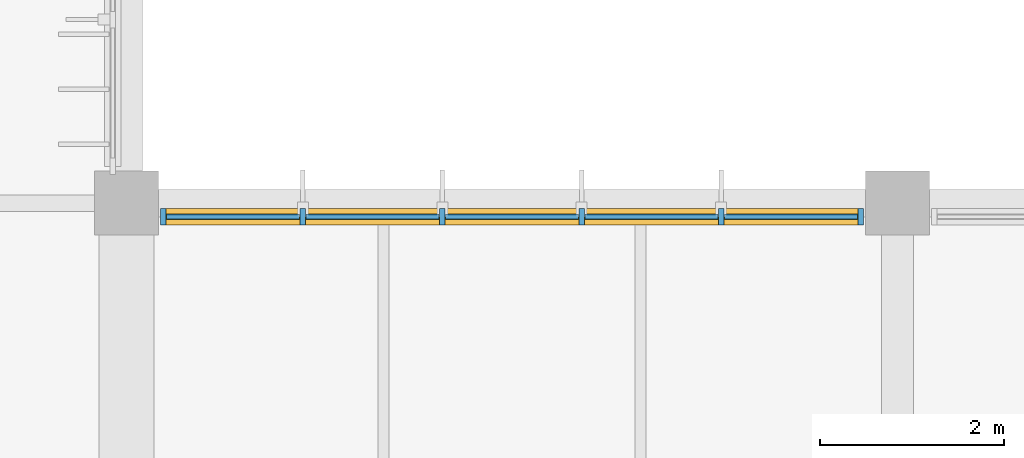
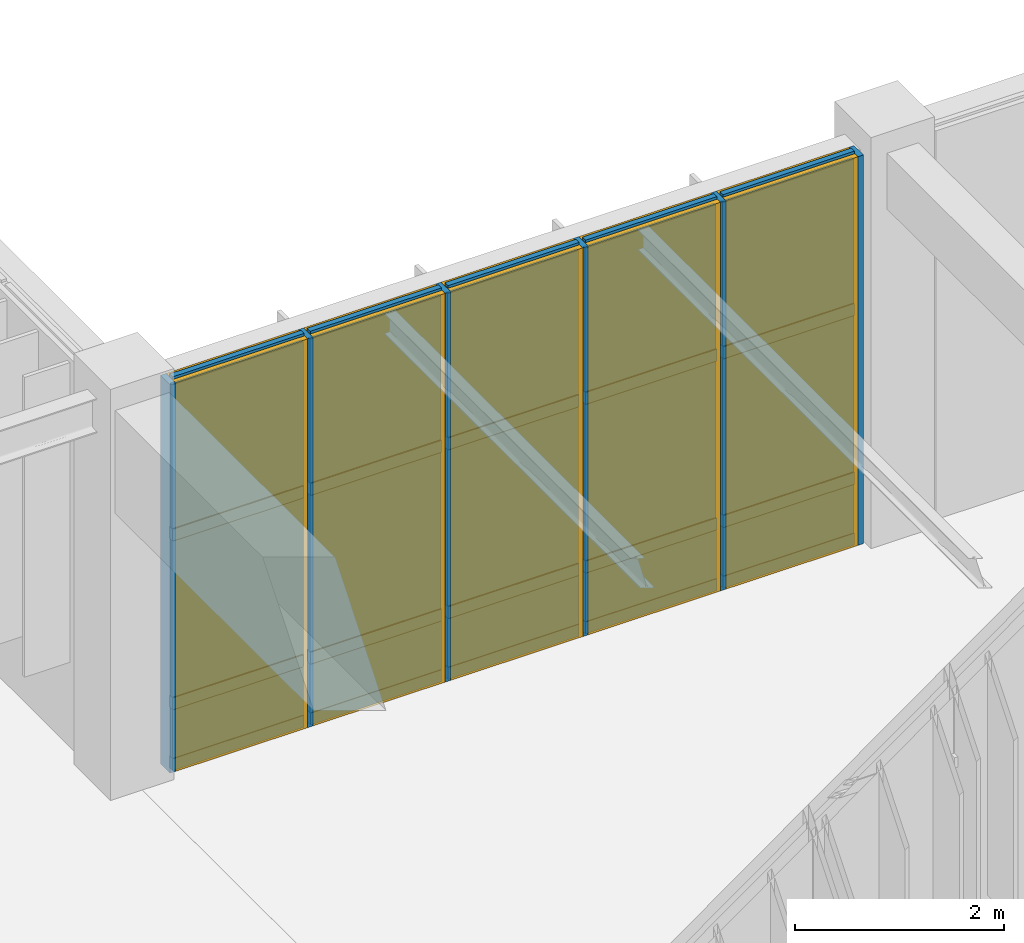
# One storey, part 68 of 122: 26 members, 15 plates, 1 curtain wall.
"""IFC4 building model written with IfcOpenShell, lengths in metres."""

from ifc_helpers import new_model, si_unit, direction, frame, frame_2d, origin, origin_2d, place, context, subcontext, project, spatial, rectangle, extrude, material, layer, layer_set, material_profile, profile_set, type_object, element, aggregate, save


model = new_model("IFC4")

# Units and contexts
model_context = context("Model", 3, precision=1e-05, world=origin(), true_north=direction((0.0, 1.0)))
body_context = subcontext(model_context, "Body", "Model", "MODEL_VIEW")
ifc_project = project(units=[si_unit("LENGTHUNIT", "METRE"), si_unit("AREAUNIT", "SQUARE_METRE"), si_unit("VOLUMEUNIT", "CUBIC_METRE"), si_unit("PLANEANGLEUNIT", "RADIAN"), si_unit("MASSUNIT", "GRAM", prefix="KILO")], contexts=[model_context])

# Member
ifc_material_1 = material(Name="Anodised Bronze Aluminium 6063-T6", Category="aluminium")
ifc_material_profile_1 = material_profile(ifc_material_1, rectangle(XDim=0.06005859375, YDim=0.179931640625, at=origin_2d()), Name="ALU MULLION 60x180")
ifc_profile_set_1 = profile_set([ifc_material_profile_1], Name="Anodised Bronze Aluminium 6063-T6")
member_type_1 = type_object("IfcMemberType", Name="Curtain-Wall Primary Mullion 60x180", PredefinedType="MULLION", material=ifc_profile_set_1)
site_placement = place(None, origin())
building_placement = place(site_placement, origin())
storey_placement = place(building_placement, origin())
member_1_placement = place(storey_placement, frame((28.0, 51.64990234375, 0.0), z_axis=(0.0, 0.0, 1.0), x_axis=(1.0, 0.0, 0.0)))
member_1 = element("IfcMember", 1, at=member_1_placement, type_object=member_type_1, Name="Mullion CWM-01 CW-WLNK-N-L00-B1-M01", PredefinedType="MULLION", context=body_context, shape_type="SweptSolid", body=[
    extrude(rectangle(XDim=0.06005859375, YDim=0.179931640625, at=origin_2d()), origin(), (0.0, 0.0, 1.0), 4.5400390625),
])

member_2_placement = place(storey_placement, frame((29.52001953125, 51.64990234375, 0.0), z_axis=(0.0, 0.0, 1.0), x_axis=(1.0, 0.0, 0.0)))
member_2 = element("IfcMember", 2, at=member_2_placement, type_object=member_type_1, Name="Mullion CWM-01 CW-WLNK-N-L00-B1-M02", PredefinedType="MULLION", context=body_context, shape_type="SweptSolid", body=[
    extrude(rectangle(XDim=0.06005859375, YDim=0.179931640625, at=origin_2d()), origin(), (0.0, 0.0, 1.0), 4.5400390625),
])

member_3_placement = place(storey_placement, frame((31.0400390625, 51.64990234375, 0.0), z_axis=(0.0, 0.0, 1.0), x_axis=(1.0, 0.0, 0.0)))
member_3 = element("IfcMember", 3, at=member_3_placement, type_object=member_type_1, Name="Mullion CWM-01 CW-WLNK-N-L00-B1-M03", PredefinedType="MULLION", context=body_context, shape_type="SweptSolid", body=[
    extrude(rectangle(XDim=0.06005859375, YDim=0.179931640625, at=origin_2d()), origin(), (0.0, 0.0, 1.0), 4.5400390625),
])

member_4_placement = place(storey_placement, frame((32.56005859375, 51.64990234375, 0.0), z_axis=(0.0, 0.0, 1.0), x_axis=(1.0, 0.0, 0.0)))
member_4 = element("IfcMember", 4, at=member_4_placement, type_object=member_type_1, Name="Mullion CWM-01 CW-WLNK-N-L00-B1-M04", PredefinedType="MULLION", context=body_context, shape_type="SweptSolid", body=[
    extrude(rectangle(XDim=0.06005859375, YDim=0.179931640625, at=origin_2d()), origin(), (0.0, 0.0, 1.0), 4.5400390625),
])

member_5_placement = place(storey_placement, frame((34.080078125, 51.64990234375, 0.0), z_axis=(0.0, 0.0, 1.0), x_axis=(1.0, 0.0, 0.0)))
member_5 = element("IfcMember", 5, at=member_5_placement, type_object=member_type_1, Name="Mullion CWM-01 CW-WLNK-N-L00-B1-M05", PredefinedType="MULLION", context=body_context, shape_type="SweptSolid", body=[
    extrude(rectangle(XDim=0.06005859375, YDim=0.179931640625, at=origin_2d()), origin(), (0.0, 0.0, 1.0), 4.5400390625),
])

member_6_placement = place(storey_placement, frame((35.60009765625, 51.64990234375, 0.0), z_axis=(0.0, 0.0, 1.0), x_axis=(1.0, 0.0, 0.0)))
member_6 = element("IfcMember", 6, at=member_6_placement, type_object=member_type_1, Name="Mullion CWM-01 CW-WLNK-N-L00-B1-M06", PredefinedType="MULLION", context=body_context, shape_type="SweptSolid", body=[
    extrude(rectangle(XDim=0.06005859375, YDim=0.179931640625, at=origin_2d()), origin(), (0.0, 0.0, 1.0), 4.5400390625),
])

ifc_material_profile_2 = material_profile(ifc_material_1, rectangle(XDim=0.06005859375, YDim=0.139892578125, at=origin_2d()), Name="ALU TRANSOM 60x140")
ifc_profile_set_2 = profile_set([ifc_material_profile_2], Name="Anodised Bronze Aluminium 6063-T6")
member_type_2 = type_object("IfcMemberType", Name="Curtain-Wall Transom 60x140", PredefinedType="USERDEFINED", material=ifc_profile_set_2)
member_7_placement = place(storey_placement, frame((28.034912109375, 51.64990234375, 0.0400390625), z_axis=(1.0, 0.0, 0.0), x_axis=(0.0, 1.0, 0.0)))
member_7 = element("IfcMember", 7, at=member_7_placement, type_object=member_type_2, Name="Transom CWT-01 CW-WLNK-N-L00-B1-T01.1", ObjectType="TRANSOM", PredefinedType="USERDEFINED", context=body_context, shape_type="SweptSolid", body=[
    extrude(rectangle(XDim=0.06005859375, YDim=0.139892578125, at=origin_2d()), origin(), (0.0, 0.0, 1.0), 1.4501953125),
])

member_8_placement = place(storey_placement, frame((28.034912109375, 51.64990234375, 0.75), z_axis=(1.0, 0.0, 0.0), x_axis=(0.0, 1.0, 0.0)))
member_8 = element("IfcMember", 8, at=member_8_placement, type_object=member_type_2, Name="Transom CWT-01 CW-WLNK-N-L00-B1-T01.2", ObjectType="TRANSOM", PredefinedType="USERDEFINED", context=body_context, shape_type="SweptSolid", body=[
    extrude(rectangle(XDim=0.06005859375, YDim=0.139892578125, at=origin_2d()), origin(), (0.0, 0.0, 1.0), 1.4501953125),
])

member_9_placement = place(storey_placement, frame((28.034912109375, 51.64990234375, 2.720703125), z_axis=(1.0, 0.0, 0.0), x_axis=(0.0, 1.0, 0.0)))
member_9 = element("IfcMember", 9, at=member_9_placement, type_object=member_type_2, Name="Transom CWT-01 CW-WLNK-N-L00-B1-T01.3", ObjectType="TRANSOM", PredefinedType="USERDEFINED", context=body_context, shape_type="SweptSolid", body=[
    extrude(rectangle(XDim=0.06005859375, YDim=0.139892578125, at=origin_2d()), origin(), (0.0, 0.0, 1.0), 1.4501953125),
])

member_10_placement = place(storey_placement, frame((28.034912109375, 51.64990234375, 4.5), z_axis=(1.0, 0.0, 0.0), x_axis=(0.0, 1.0, 0.0)))
member_10 = element("IfcMember", 10, at=member_10_placement, type_object=member_type_2, Name="Transom CWT-01 CW-WLNK-N-L00-B1-T01.4", ObjectType="TRANSOM", PredefinedType="USERDEFINED", context=body_context, shape_type="SweptSolid", body=[
    extrude(rectangle(XDim=0.06005859375, YDim=0.139892578125, at=origin_2d()), origin(), (0.0, 0.0, 1.0), 1.4501953125),
])

member_11_placement = place(storey_placement, frame((29.554931640625, 51.64990234375, 0.0400390625), z_axis=(1.0, 0.0, 0.0), x_axis=(0.0, 1.0, 0.0)))
member_11 = element("IfcMember", 11, at=member_11_placement, type_object=member_type_2, Name="Transom CWT-01 CW-WLNK-N-L00-B1-T02.1", ObjectType="TRANSOM", PredefinedType="USERDEFINED", context=body_context, shape_type="SweptSolid", body=[
    extrude(rectangle(XDim=0.06005859375, YDim=0.139892578125, at=origin_2d()), origin(), (0.0, 0.0, 1.0), 1.449951171875),
])

member_12_placement = place(storey_placement, frame((29.554931640625, 51.64990234375, 0.75), z_axis=(1.0, 0.0, 0.0), x_axis=(0.0, 1.0, 0.0)))
member_12 = element("IfcMember", 12, at=member_12_placement, type_object=member_type_2, Name="Transom CWT-01 CW-WLNK-N-L00-B1-T02.2", ObjectType="TRANSOM", PredefinedType="USERDEFINED", context=body_context, shape_type="SweptSolid", body=[
    extrude(rectangle(XDim=0.06005859375, YDim=0.139892578125, at=origin_2d()), origin(), (0.0, 0.0, 1.0), 1.449951171875),
])

member_13_placement = place(storey_placement, frame((29.554931640625, 51.64990234375, 2.720703125), z_axis=(1.0, 0.0, 0.0), x_axis=(0.0, 1.0, 0.0)))
member_13 = element("IfcMember", 13, at=member_13_placement, type_object=member_type_2, Name="Transom CWT-01 CW-WLNK-N-L00-B1-T02.3", ObjectType="TRANSOM", PredefinedType="USERDEFINED", context=body_context, shape_type="SweptSolid", body=[
    extrude(rectangle(XDim=0.06005859375, YDim=0.139892578125, at=origin_2d()), origin(), (0.0, 0.0, 1.0), 1.449951171875),
])

member_14_placement = place(storey_placement, frame((29.554931640625, 51.64990234375, 4.5), z_axis=(1.0, 0.0, 0.0), x_axis=(0.0, 1.0, 0.0)))
member_14 = element("IfcMember", 14, at=member_14_placement, type_object=member_type_2, Name="Transom CWT-01 CW-WLNK-N-L00-B1-T02.4", ObjectType="TRANSOM", PredefinedType="USERDEFINED", context=body_context, shape_type="SweptSolid", body=[
    extrude(rectangle(XDim=0.06005859375, YDim=0.139892578125, at=origin_2d()), origin(), (0.0, 0.0, 1.0), 1.449951171875),
])

member_15_placement = place(storey_placement, frame((31.074951171875, 51.64990234375, 0.0400390625), z_axis=(1.0, 0.0, 0.0), x_axis=(0.0, 1.0, 0.0)))
member_15 = element("IfcMember", 15, at=member_15_placement, type_object=member_type_2, Name="Transom CWT-01 CW-WLNK-N-L00-B1-T03.1", ObjectType="TRANSOM", PredefinedType="USERDEFINED", context=body_context, shape_type="SweptSolid", body=[
    extrude(rectangle(XDim=0.06005859375, YDim=0.139892578125, at=origin_2d()), origin(), (0.0, 0.0, 1.0), 1.449951171875),
])

member_16_placement = place(storey_placement, frame((31.074951171875, 51.64990234375, 0.75), z_axis=(1.0, 0.0, 0.0), x_axis=(0.0, 1.0, 0.0)))
member_16 = element("IfcMember", 16, at=member_16_placement, type_object=member_type_2, Name="Transom CWT-01 CW-WLNK-N-L00-B1-T03.2", ObjectType="TRANSOM", PredefinedType="USERDEFINED", context=body_context, shape_type="SweptSolid", body=[
    extrude(rectangle(XDim=0.06005859375, YDim=0.139892578125, at=origin_2d()), origin(), (0.0, 0.0, 1.0), 1.449951171875),
])

member_17_placement = place(storey_placement, frame((31.074951171875, 51.64990234375, 2.720703125), z_axis=(1.0, 0.0, 0.0), x_axis=(0.0, 1.0, 0.0)))
member_17 = element("IfcMember", 17, at=member_17_placement, type_object=member_type_2, Name="Transom CWT-01 CW-WLNK-N-L00-B1-T03.3", ObjectType="TRANSOM", PredefinedType="USERDEFINED", context=body_context, shape_type="SweptSolid", body=[
    extrude(rectangle(XDim=0.06005859375, YDim=0.139892578125, at=origin_2d()), origin(), (0.0, 0.0, 1.0), 1.449951171875),
])

member_18_placement = place(storey_placement, frame((31.074951171875, 51.64990234375, 4.5), z_axis=(1.0, 0.0, 0.0), x_axis=(0.0, 1.0, 0.0)))
member_18 = element("IfcMember", 18, at=member_18_placement, type_object=member_type_2, Name="Transom CWT-01 CW-WLNK-N-L00-B1-T03.4", ObjectType="TRANSOM", PredefinedType="USERDEFINED", context=body_context, shape_type="SweptSolid", body=[
    extrude(rectangle(XDim=0.06005859375, YDim=0.139892578125, at=origin_2d()), origin(), (0.0, 0.0, 1.0), 1.449951171875),
])

member_19_placement = place(storey_placement, frame((32.594970703125, 51.64990234375, 0.0400390625), z_axis=(1.0, 0.0, 0.0), x_axis=(0.0, 1.0, 0.0)))
member_19 = element("IfcMember", 19, at=member_19_placement, type_object=member_type_2, Name="Transom CWT-01 CW-WLNK-N-L00-B1-T04.1", ObjectType="TRANSOM", PredefinedType="USERDEFINED", context=body_context, shape_type="SweptSolid", body=[
    extrude(rectangle(XDim=0.06005859375, YDim=0.139892578125, at=origin_2d()), origin(), (0.0, 0.0, 1.0), 1.449951171875),
])

member_20_placement = place(storey_placement, frame((32.594970703125, 51.64990234375, 0.75), z_axis=(1.0, 0.0, 0.0), x_axis=(0.0, 1.0, 0.0)))
member_20 = element("IfcMember", 20, at=member_20_placement, type_object=member_type_2, Name="Transom CWT-01 CW-WLNK-N-L00-B1-T04.2", ObjectType="TRANSOM", PredefinedType="USERDEFINED", context=body_context, shape_type="SweptSolid", body=[
    extrude(rectangle(XDim=0.06005859375, YDim=0.139892578125, at=origin_2d()), origin(), (0.0, 0.0, 1.0), 1.449951171875),
])

member_21_placement = place(storey_placement, frame((32.594970703125, 51.64990234375, 2.720703125), z_axis=(1.0, 0.0, 0.0), x_axis=(0.0, 1.0, 0.0)))
member_21 = element("IfcMember", 21, at=member_21_placement, type_object=member_type_2, Name="Transom CWT-01 CW-WLNK-N-L00-B1-T04.3", ObjectType="TRANSOM", PredefinedType="USERDEFINED", context=body_context, shape_type="SweptSolid", body=[
    extrude(rectangle(XDim=0.06005859375, YDim=0.139892578125, at=origin_2d()), origin(), (0.0, 0.0, 1.0), 1.449951171875),
])

member_22_placement = place(storey_placement, frame((32.594970703125, 51.64990234375, 4.5), z_axis=(1.0, 0.0, 0.0), x_axis=(0.0, 1.0, 0.0)))
member_22 = element("IfcMember", 22, at=member_22_placement, type_object=member_type_2, Name="Transom CWT-01 CW-WLNK-N-L00-B1-T04.4", ObjectType="TRANSOM", PredefinedType="USERDEFINED", context=body_context, shape_type="SweptSolid", body=[
    extrude(rectangle(XDim=0.06005859375, YDim=0.139892578125, at=origin_2d()), origin(), (0.0, 0.0, 1.0), 1.449951171875),
])

member_23_placement = place(storey_placement, frame((34.114990234375, 51.64990234375, 0.0400390625), z_axis=(1.0, 0.0, 0.0), x_axis=(0.0, 1.0, 0.0)))
member_23 = element("IfcMember", 23, at=member_23_placement, type_object=member_type_2, Name="Transom CWT-01 CW-WLNK-N-L00-B1-T05.1", ObjectType="TRANSOM", PredefinedType="USERDEFINED", context=body_context, shape_type="SweptSolid", body=[
    extrude(rectangle(XDim=0.06005859375, YDim=0.139892578125, at=origin_2d()), origin(), (0.0, 0.0, 1.0), 1.449951171875),
])

member_24_placement = place(storey_placement, frame((34.114990234375, 51.64990234375, 0.75), z_axis=(1.0, 0.0, 0.0), x_axis=(0.0, 1.0, 0.0)))
member_24 = element("IfcMember", 24, at=member_24_placement, type_object=member_type_2, Name="Transom CWT-01 CW-WLNK-N-L00-B1-T05.2", ObjectType="TRANSOM", PredefinedType="USERDEFINED", context=body_context, shape_type="SweptSolid", body=[
    extrude(rectangle(XDim=0.06005859375, YDim=0.139892578125, at=origin_2d()), origin(), (0.0, 0.0, 1.0), 1.449951171875),
])

member_25_placement = place(storey_placement, frame((34.114990234375, 51.64990234375, 2.720703125), z_axis=(1.0, 0.0, 0.0), x_axis=(0.0, 1.0, 0.0)))
member_25 = element("IfcMember", 25, at=member_25_placement, type_object=member_type_2, Name="Transom CWT-01 CW-WLNK-N-L00-B1-T05.3", ObjectType="TRANSOM", PredefinedType="USERDEFINED", context=body_context, shape_type="SweptSolid", body=[
    extrude(rectangle(XDim=0.06005859375, YDim=0.139892578125, at=origin_2d()), origin(), (0.0, 0.0, 1.0), 1.449951171875),
])

member_26_placement = place(storey_placement, frame((34.114990234375, 51.64990234375, 4.5), z_axis=(1.0, 0.0, 0.0), x_axis=(0.0, 1.0, 0.0)))
member_26 = element("IfcMember", 26, at=member_26_placement, type_object=member_type_2, Name="Transom CWT-01 CW-WLNK-N-L00-B1-T05.4", ObjectType="TRANSOM", PredefinedType="USERDEFINED", context=body_context, shape_type="SweptSolid", body=[
    extrude(rectangle(XDim=0.06005859375, YDim=0.139892578125, at=origin_2d()), origin(), (0.0, 0.0, 1.0), 1.449951171875),
])

# Plate
ifc_material_2 = material(Name="Insulated Bronze Aluminium Spandrel Panel", Category="aluminium")
ifc_layer_1 = layer(ifc_material_2, 0.050048828125, Name="Insulated Bronze Aluminium Spandrel Panel")
ifc_layer_set_1 = layer_set([ifc_layer_1], Name="Insulated Bronze Aluminium Spandrel Panel")
plate_type_1 = type_object("IfcPlateType", Name="Insulated Anodised Aluminium Spandrel Cassette 50", PredefinedType="CURTAIN_PANEL", material=ifc_layer_set_1)
plate_1_placement = place(storey_placement, frame((28.760009765625, 51.64990234375, 0.070068359375), z_axis=(0.0, 0.0, 1.0), x_axis=(1.0, 0.0, 0.0)))
plate_1 = element("IfcPlate", 27, at=plate_1_placement, type_object=plate_type_1, Name="Curtain Panel CWP-03 CW-WLNK-N-L00-B1-P01.1", PredefinedType="CURTAIN_PANEL", context=body_context, shape_type="SweptSolid", body=[
    extrude(rectangle(XDim=1.449951171875, YDim=0.050048828125, at=origin_2d()), origin(), (0.0, 0.0, 1.0), 0.64990234375),
])

plate_2_placement = place(storey_placement, frame((30.280029296875, 51.64990234375, 0.070068359375), z_axis=(0.0, 0.0, 1.0), x_axis=(1.0, 0.0, 0.0)))
plate_2 = element("IfcPlate", 28, at=plate_2_placement, type_object=plate_type_1, Name="Curtain Panel CWP-03 CW-WLNK-N-L00-B1-P02.1", PredefinedType="CURTAIN_PANEL", context=body_context, shape_type="SweptSolid", body=[
    extrude(rectangle(XDim=1.449951171875, YDim=0.050048828125, at=origin_2d()), origin(), (0.0, 0.0, 1.0), 0.64990234375),
])

plate_3_placement = place(storey_placement, frame((31.800048828125, 51.64990234375, 0.070068359375), z_axis=(0.0, 0.0, 1.0), x_axis=(1.0, 0.0, 0.0)))
plate_3 = element("IfcPlate", 29, at=plate_3_placement, type_object=plate_type_1, Name="Curtain Panel CWP-03 CW-WLNK-N-L00-B1-P03.1", PredefinedType="CURTAIN_PANEL", context=body_context, shape_type="SweptSolid", body=[
    extrude(rectangle(XDim=1.449951171875, YDim=0.050048828125, at=origin_2d()), origin(), (0.0, 0.0, 1.0), 0.64990234375),
])

plate_4_placement = place(storey_placement, frame((33.320068359375, 51.64990234375, 0.070068359375), z_axis=(0.0, 0.0, 1.0), x_axis=(1.0, 0.0, 0.0)))
plate_4 = element("IfcPlate", 30, at=plate_4_placement, type_object=plate_type_1, Name="Curtain Panel CWP-03 CW-WLNK-N-L00-B1-P04.1", PredefinedType="CURTAIN_PANEL", context=body_context, shape_type="SweptSolid", body=[
    extrude(rectangle(XDim=1.449951171875, YDim=0.050048828125, at=origin_2d()), origin(), (0.0, 0.0, 1.0), 0.64990234375),
])

plate_5_placement = place(storey_placement, frame((34.840087890625, 51.64990234375, 0.070068359375), z_axis=(0.0, 0.0, 1.0), x_axis=(1.0, 0.0, 0.0)))
plate_5 = element("IfcPlate", 31, at=plate_5_placement, type_object=plate_type_1, Name="Curtain Panel CWP-03 CW-WLNK-N-L00-B1-P05.1", PredefinedType="CURTAIN_PANEL", context=body_context, shape_type="SweptSolid", body=[
    extrude(rectangle(XDim=1.449951171875, YDim=0.050048828125, at=origin_2d()), origin(), (0.0, 0.0, 1.0), 0.64990234375),
])

ifc_material_3 = material(Name="Solar-Control Tempered Double Glazing", Category="glass")
ifc_layer_2 = layer(ifc_material_3, 0.0380859375, Name="Solar-Control Tempered Double Glazing")
ifc_layer_set_2 = layer_set([ifc_layer_2], Name="Solar-Control Tempered Double Glazing")
plate_type_2 = type_object("IfcPlateType", Name="Solar-Control Vision Glazing Unit 38", PredefinedType="CURTAIN_PANEL", material=ifc_layer_set_2)
plate_6_placement = place(storey_placement, frame((28.760009765625, 51.64990234375, 0.77978515625), z_axis=(0.0, 0.0, 1.0), x_axis=(1.0, 0.0, 0.0)))
plate_6 = element("IfcPlate", 32, at=plate_6_placement, type_object=plate_type_2, Name="Curtain Panel CWP-02 CW-WLNK-N-L00-B1-P01.2", PredefinedType="CURTAIN_PANEL", context=body_context, shape_type="SweptSolid", body=[
    extrude(rectangle(XDim=1.449951171875, YDim=0.0380859375, at=origin_2d()), origin(), (0.0, 0.0, 1.0), 1.910888671875),
])

plate_7_placement = place(storey_placement, frame((28.760009765625, 51.64990234375, 2.750732421875), z_axis=(0.0, 0.0, 1.0), x_axis=(1.0, 0.0, 0.0)))
plate_7 = element("IfcPlate", 33, at=plate_7_placement, type_object=plate_type_2, Name="Curtain Panel CWP-02 CW-WLNK-N-L00-B1-P01.3", PredefinedType="CURTAIN_PANEL", context=body_context, shape_type="SweptSolid", body=[
    extrude(rectangle(XDim=1.449951171875, YDim=0.0380859375, at=origin_2d()), origin(), (0.0, 0.0, 1.0), 1.71923828125),
])

plate_8_placement = place(storey_placement, frame((30.280029296875, 51.64990234375, 0.77978515625), z_axis=(0.0, 0.0, 1.0), x_axis=(1.0, 0.0, 0.0)))
plate_8 = element("IfcPlate", 34, at=plate_8_placement, type_object=plate_type_2, Name="Curtain Panel CWP-02 CW-WLNK-N-L00-B1-P02.2", PredefinedType="CURTAIN_PANEL", context=body_context, shape_type="SweptSolid", body=[
    extrude(rectangle(XDim=1.449951171875, YDim=0.0380859375, at=origin_2d()), origin(), (0.0, 0.0, 1.0), 1.910888671875),
])

plate_9_placement = place(storey_placement, frame((30.280029296875, 51.64990234375, 2.750732421875), z_axis=(0.0, 0.0, 1.0), x_axis=(1.0, 0.0, 0.0)))
plate_9 = element("IfcPlate", 35, at=plate_9_placement, type_object=plate_type_2, Name="Curtain Panel CWP-02 CW-WLNK-N-L00-B1-P02.3", PredefinedType="CURTAIN_PANEL", context=body_context, shape_type="SweptSolid", body=[
    extrude(rectangle(XDim=1.449951171875, YDim=0.0380859375, at=origin_2d()), origin(), (0.0, 0.0, 1.0), 1.71923828125),
])

plate_10_placement = place(storey_placement, frame((31.800048828125, 51.64990234375, 0.77978515625), z_axis=(0.0, 0.0, 1.0), x_axis=(1.0, 0.0, 0.0)))
plate_10 = element("IfcPlate", 36, at=plate_10_placement, type_object=plate_type_2, Name="Curtain Panel CWP-02 CW-WLNK-N-L00-B1-P03.2", PredefinedType="CURTAIN_PANEL", context=body_context, shape_type="SweptSolid", body=[
    extrude(rectangle(XDim=1.449951171875, YDim=0.0380859375, at=origin_2d()), origin(), (0.0, 0.0, 1.0), 1.910888671875),
])

plate_11_placement = place(storey_placement, frame((31.800048828125, 51.64990234375, 2.750732421875), z_axis=(0.0, 0.0, 1.0), x_axis=(1.0, 0.0, 0.0)))
plate_11 = element("IfcPlate", 37, at=plate_11_placement, type_object=plate_type_2, Name="Curtain Panel CWP-02 CW-WLNK-N-L00-B1-P03.3", PredefinedType="CURTAIN_PANEL", context=body_context, shape_type="SweptSolid", body=[
    extrude(rectangle(XDim=1.449951171875, YDim=0.0380859375, at=origin_2d()), origin(), (0.0, 0.0, 1.0), 1.71923828125),
])

plate_12_placement = place(storey_placement, frame((33.320068359375, 51.64990234375, 0.77978515625), z_axis=(0.0, 0.0, 1.0), x_axis=(1.0, 0.0, 0.0)))
plate_12 = element("IfcPlate", 38, at=plate_12_placement, type_object=plate_type_2, Name="Curtain Panel CWP-02 CW-WLNK-N-L00-B1-P04.2", PredefinedType="CURTAIN_PANEL", context=body_context, shape_type="SweptSolid", body=[
    extrude(rectangle(XDim=1.449951171875, YDim=0.0380859375, at=origin_2d()), origin(), (0.0, 0.0, 1.0), 1.910888671875),
])

plate_13_placement = place(storey_placement, frame((33.320068359375, 51.64990234375, 2.750732421875), z_axis=(0.0, 0.0, 1.0), x_axis=(1.0, 0.0, 0.0)))
plate_13 = element("IfcPlate", 39, at=plate_13_placement, type_object=plate_type_2, Name="Curtain Panel CWP-02 CW-WLNK-N-L00-B1-P04.3", PredefinedType="CURTAIN_PANEL", context=body_context, shape_type="SweptSolid", body=[
    extrude(rectangle(XDim=1.449951171875, YDim=0.0380859375, at=origin_2d()), origin(), (0.0, 0.0, 1.0), 1.71923828125),
])

plate_14_placement = place(storey_placement, frame((34.840087890625, 51.64990234375, 0.77978515625), z_axis=(0.0, 0.0, 1.0), x_axis=(1.0, 0.0, 0.0)))
plate_14 = element("IfcPlate", 40, at=plate_14_placement, type_object=plate_type_2, Name="Curtain Panel CWP-02 CW-WLNK-N-L00-B1-P05.2", PredefinedType="CURTAIN_PANEL", context=body_context, shape_type="SweptSolid", body=[
    extrude(rectangle(XDim=1.449951171875, YDim=0.0380859375, at=origin_2d()), origin(), (0.0, 0.0, 1.0), 1.910888671875),
])

plate_15_placement = place(storey_placement, frame((34.840087890625, 51.64990234375, 2.750732421875), z_axis=(0.0, 0.0, 1.0), x_axis=(1.0, 0.0, 0.0)))
plate_15 = element("IfcPlate", 41, at=plate_15_placement, type_object=plate_type_2, Name="Curtain Panel CWP-02 CW-WLNK-N-L00-B1-P05.3", PredefinedType="CURTAIN_PANEL", context=body_context, shape_type="SweptSolid", body=[
    extrude(rectangle(XDim=1.449951171875, YDim=0.0380859375, at=origin_2d()), origin(), (0.0, 0.0, 1.0), 1.71923828125),
])

# Site, building, storey
site = spatial("IfcSite", under=ifc_project, at=site_placement, CompositionType="ELEMENT")
building = spatial("IfcBuilding", under=site, at=building_placement, Name="Tazoul Stagehouse", CompositionType="ELEMENT")
storey = spatial("IfcBuildingStorey", under=building, at=storey_placement, Name="L00", CompositionType="ELEMENT", Elevation=0.0)

# Curtain wall
curtain_wall_type = type_object("IfcCurtainWallType", Name="Atrium Clerestory Glazed Wall", PredefinedType="NOTDEFINED", material=ifc_material_1)
curtain_wall_placement = place(storey_placement, frame((28.0, 51.64990234375, 0.0), z_axis=(0.0, 0.0, 1.0), x_axis=(1.0, 0.0, 0.0)))
curtain_wall = element("IfcCurtainWall", 42, at=curtain_wall_placement, inside=storey, type_object=curtain_wall_type, Name="L00 Curtain Wall CW-05 (CW-WLNK-N-L00-B1)", PredefinedType="NOTDEFINED", context=body_context, shape_type="SweptSolid", body=[
    extrude(rectangle(XDim=7.60009765625, YDim=0.179931640625, at=frame_2d((3.800048828125, 0.0))), origin(), (0.0, 0.0, 1.0), 4.5400390625),
])

aggregate(curtain_wall, [member_1, member_2, member_3, member_4, member_5, member_6, member_7, member_8, member_9, member_10, plate_1, plate_6, plate_7, member_11, member_12, member_13, member_14, plate_2, plate_8, plate_9, member_15, member_16, member_17, member_18, plate_3, plate_10, plate_11, member_19, member_20, member_21, member_22, plate_4, plate_12, plate_13, member_23, member_24, member_25, member_26, plate_5, plate_14, plate_15])

save(model, "model.ifc")
